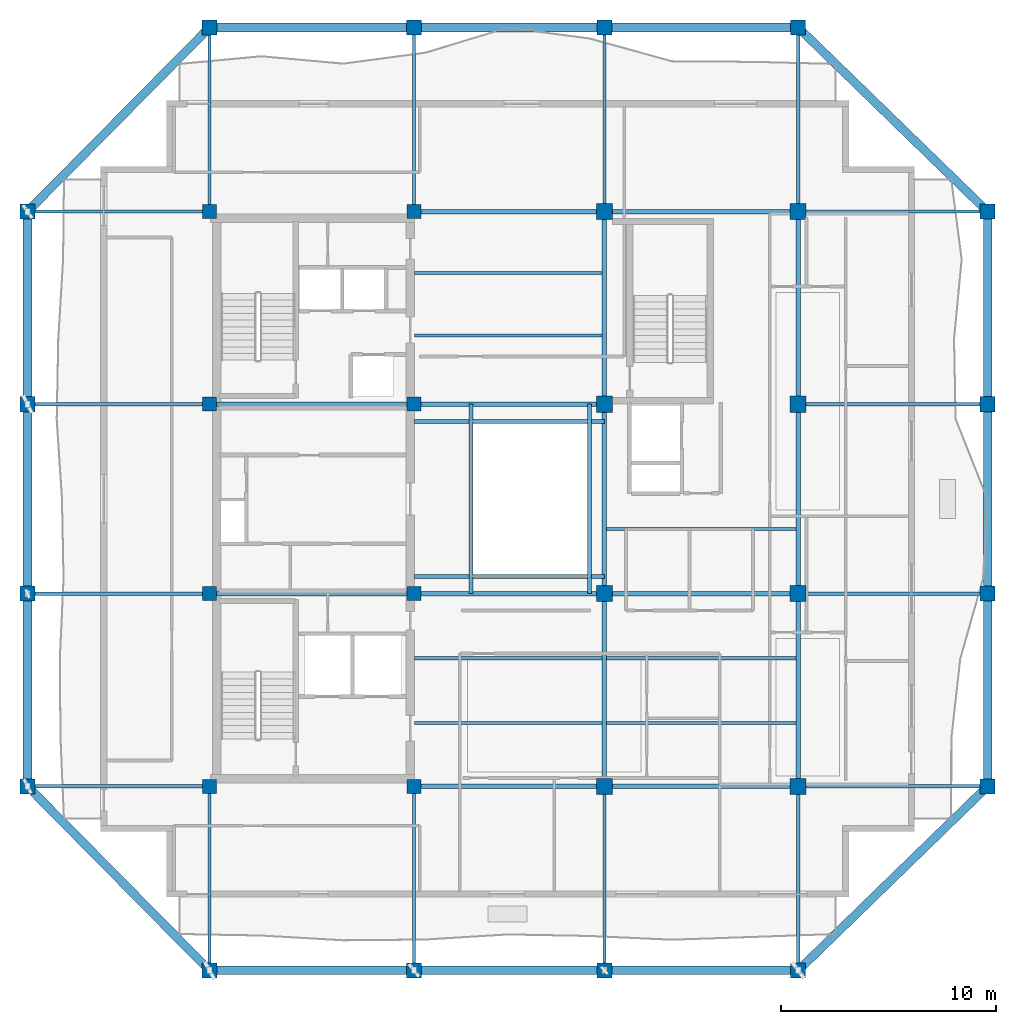
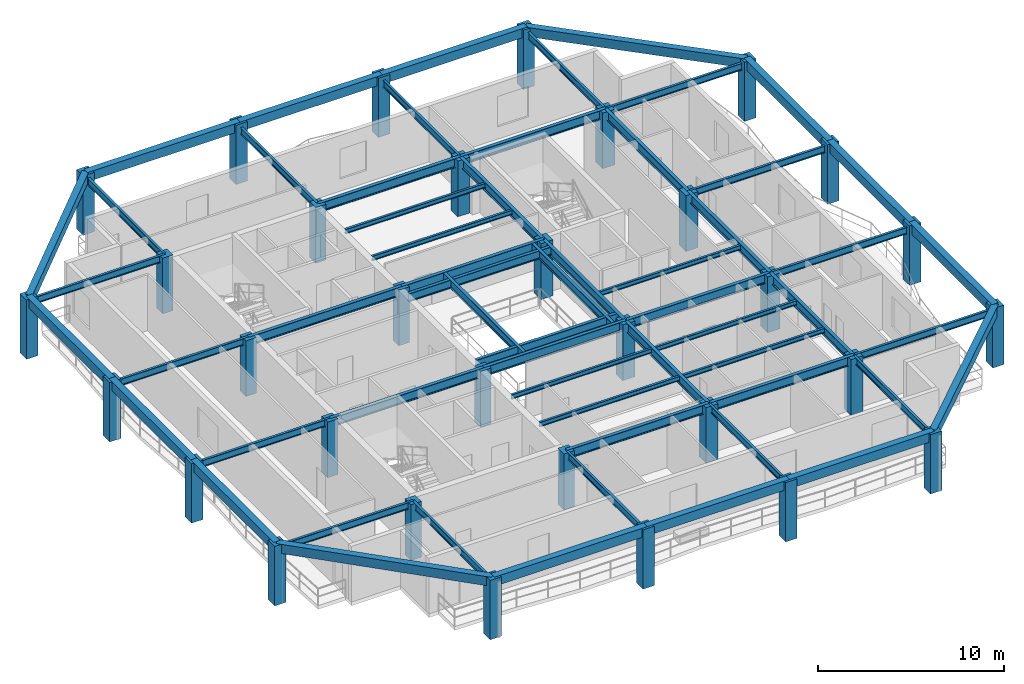
# One storey, part 1 of 10: 58 beams, 32 columns.
"""IFC4 building model written with IfcOpenShell, lengths in metres."""

from ifc_helpers import new_model, si_unit, direction, frame, origin, origin_2d, place, context, subcontext, project, spatial, rectangle, i_section, extrude, material, material_profile, profile_set, type_object, element, save


model = new_model("IFC4")

# Units and contexts
model_context = context("Model", 3, precision=1e-05, world=origin(), true_north=direction((0.0, 1.0)))
body_context = subcontext(model_context, "Body", "Model", "MODEL_VIEW")
ifc_project = project(units=[si_unit("LENGTHUNIT", "METRE"), si_unit("AREAUNIT", "SQUARE_METRE"), si_unit("VOLUMEUNIT", "CUBIC_METRE"), si_unit("PLANEANGLEUNIT", "RADIAN"), si_unit("MASSUNIT", "GRAM", prefix="KILO")], contexts=[model_context])

# Site, building, storey
site_placement = place(None, origin())
site = spatial("IfcSite", under=ifc_project, at=site_placement, CompositionType="ELEMENT")
building_placement = place(site_placement, origin())
building = spatial("IfcBuilding", under=site, at=building_placement, Name="Kundavana Baori Tower", CompositionType="ELEMENT")
storey_placement = place(building_placement, frame((0.0, 0.0, 276.5)))
storey = spatial("IfcBuildingStorey", under=building, at=storey_placement, Name="L68", CompositionType="ELEMENT", Elevation=276.5)

# Columns
ifc_material_1 = material(Name="Concrete C50/60", Category="concrete")
ifc_material_profile_1 = material_profile(ifc_material_1, rectangle(XDim=0.699951171875, YDim=0.699951171875, at=origin_2d()), Name="RC PF 700x700")
ifc_profile_set_1 = profile_set([ifc_material_profile_1], Name="Concrete C50/60")
column_type_1 = type_object("IfcColumnType", Name="COL-PF-700", PredefinedType="COLUMN", material=ifc_profile_set_1)
for number, where, z_axis, x_axis, name in (
    (1, (15.449951171875, 6.699951171875, 0.0), (0.0, 0.0, 1.0), (1.0, 0.0, 0.0), "L68 Stone-Clad Perimeter Frame Column PF-S1"),
    (2, (15.449951171875, 50.5, 0.0), (0.0, 0.0, 1.0), (1.0, 0.0, 0.0), "L68 Stone-Clad Perimeter Frame Column PF-N1"),
    (3, (24.949951171875, 6.699951171875, 0.0), (0.0, 0.0, 1.0), (1.0, 0.0, 0.0), "L68 Stone-Clad Perimeter Frame Column PF-S2"),
    (4, (24.949951171875, 50.5, 0.0), (0.0, 0.0, 1.0), (1.0, 0.0, 0.0), "L68 Stone-Clad Perimeter Frame Column PF-N2"),
    (5, (33.800048828125, 6.699951171875, 0.0), (0.0, 0.0, 1.0), (1.0, 0.0, 0.0), "L68 Stone-Clad Perimeter Frame Column PF-S3"),
    (6, (33.800048828125, 50.5, 0.0), (0.0, 0.0, 1.0), (1.0, 0.0, 0.0), "L68 Stone-Clad Perimeter Frame Column PF-N3"),
    (7, (42.800048828125, 6.699951171875, 0.0), (0.0, 0.0, 1.0), (1.0, 0.0, 0.0), "L68 Stone-Clad Perimeter Frame Column PF-S4"),
    (8, (42.800048828125, 50.5, 0.0), (0.0, 0.0, 1.0), (1.0, 0.0, 0.0), "L68 Stone-Clad Perimeter Frame Column PF-N4"),
    (9, (7.0, 15.25, 0.0), (0.0, 0.0, 1.0), (1.0, 0.0, 0.0), "L68 Stone-Clad Perimeter Frame Column PF-W1"),
    (10, (51.60009765625, 15.25, 0.0), (0.0, 0.0, 1.0), (1.0, 0.0, 0.0), "L68 Stone-Clad Perimeter Frame Column PF-E1"),
    (11, (7.0, 24.199951171875, 0.0), (0.0, 0.0, 1.0), (1.0, 0.0, 0.0), "L68 Stone-Clad Perimeter Frame Column PF-W2"),
    (12, (51.60009765625, 24.199951171875, 0.0), (0.0, 0.0, 1.0), (1.0, 0.0, 0.0), "L68 Stone-Clad Perimeter Frame Column PF-E2"),
    (13, (7.0, 33.0, 0.0), (0.0, 0.0, 1.0), (1.0, 0.0, 0.0), "L68 Stone-Clad Perimeter Frame Column PF-W3"),
    (14, (51.60009765625, 33.0, 0.0), (0.0, 0.0, 1.0), (1.0, 0.0, 0.0), "L68 Stone-Clad Perimeter Frame Column PF-E3"),
    (15, (7.0, 41.949951171875, 0.0), (0.0, 0.0, 1.0), (1.0, 0.0, 0.0), "L68 Stone-Clad Perimeter Frame Column PF-W4"),
    (16, (51.60009765625, 41.949951171875, 0.0), (0.0, 0.0, 1.0), (1.0, 0.0, 0.0), "L68 Stone-Clad Perimeter Frame Column PF-E4"),
):
    element("IfcColumn", number, at=place(storey_placement, frame(where, z_axis=z_axis, x_axis=x_axis)), inside=storey, type_object=column_type_1, Name=name, PredefinedType="COLUMN", context=body_context, shape_type="SweptSolid", body=[
        extrude(rectangle(XDim=0.699951171875, YDim=0.699951171875, at=origin_2d()), origin(), (0.0, 0.0, 1.0), 3.89990234375),
    ])
ifc_material_2 = material(Name="Concrete C50/60", Category="concrete")
ifc_material_profile_2 = material_profile(ifc_material_2, rectangle(XDim=0.64990234375, YDim=0.64990234375, at=origin_2d()), Name="RC 650x650")
ifc_profile_set_2 = profile_set([ifc_material_profile_2], Name="Concrete C50/60")
column_type_2 = type_object("IfcColumnType", Name="COL-RC-650", PredefinedType="COLUMN", material=ifc_profile_set_2)
for number, where, z_axis, x_axis, name in (
    (17, (15.449951171875, 15.25, 0.0), (0.0, 0.0, 1.0), (1.0, 0.0, 0.0), "L68 Interior Column IC-3C"),
    (18, (15.449951171875, 24.199951171875, 0.0), (0.0, 0.0, 1.0), (1.0, 0.0, 0.0), "L68 Interior Column IC-3D"),
    (19, (15.449951171875, 33.0, 0.0), (0.0, 0.0, 1.0), (1.0, 0.0, 0.0), "L68 Interior Column IC-3E"),
    (20, (15.449951171875, 41.949951171875, 0.0), (0.0, 0.0, 1.0), (1.0, 0.0, 0.0), "L68 Interior Column IC-3F"),
    (21, (24.949951171875, 15.25, 0.0), (0.0, 0.0, 1.0), (1.0, 0.0, 0.0), "L68 Interior Column IC-4C"),
    (22, (24.949951171875, 24.199951171875, 0.0), (0.0, 0.0, 1.0), (1.0, 0.0, 0.0), "L68 Interior Column IC-4D"),
    (23, (24.949951171875, 33.0, 0.0), (0.0, 0.0, 1.0), (1.0, 0.0, 0.0), "L68 Interior Column IC-4E"),
    (24, (24.949951171875, 41.949951171875, 0.0), (0.0, 0.0, 1.0), (1.0, 0.0, 0.0), "L68 Interior Column IC-4F"),
):
    element("IfcColumn", number, at=place(storey_placement, frame(where, z_axis=z_axis, x_axis=x_axis)), inside=storey, type_object=column_type_2, Name=name, PredefinedType="COLUMN", context=body_context, shape_type="SweptSolid", body=[
        extrude(rectangle(XDim=0.64990234375, YDim=0.64990234375, at=origin_2d()), origin(), (0.0, 0.0, 1.0), 3.659912109375),
    ])
ifc_material_3 = material(Name="Concrete C50/60", Category="concrete")
ifc_material_profile_3 = material_profile(ifc_material_3, rectangle(XDim=0.75, YDim=0.75, at=origin_2d()), Name="RC 750x750")
ifc_profile_set_3 = profile_set([ifc_material_profile_3], Name="Concrete C50/60")
column_type_3 = type_object("IfcColumnType", Name="COL-RC-750", PredefinedType="COLUMN", material=ifc_profile_set_3)
for number, where, z_axis, x_axis, name in (
    (25, (33.800048828125, 15.25, 0.0), (0.0, 0.0, 1.0), (1.0, 0.0, 0.0), "L68 Interior Column IC-5C"),
    (26, (33.800048828125, 24.199951171875, 0.0), (0.0, 0.0, 1.0), (1.0, 0.0, 0.0), "L68 Interior Column IC-5D"),
    (27, (33.800048828125, 33.0, 0.0), (0.0, 0.0, 1.0), (1.0, 0.0, 0.0), "L68 Interior Column IC-5E"),
    (28, (33.800048828125, 41.949951171875, 0.0), (0.0, 0.0, 1.0), (1.0, 0.0, 0.0), "L68 Interior Column IC-5F"),
    (29, (42.800048828125, 15.25, 0.0), (0.0, 0.0, 1.0), (1.0, 0.0, 0.0), "L68 Interior Column IC-6C"),
    (30, (42.800048828125, 24.199951171875, 0.0), (0.0, 0.0, 1.0), (1.0, 0.0, 0.0), "L68 Interior Column IC-6D"),
    (31, (42.800048828125, 33.0, 0.0), (0.0, 0.0, 1.0), (1.0, 0.0, 0.0), "L68 Interior Column IC-6E"),
    (32, (42.800048828125, 41.949951171875, 0.0), (0.0, 0.0, 1.0), (1.0, 0.0, 0.0), "L68 Interior Column IC-6F"),
):
    element("IfcColumn", number, at=place(storey_placement, frame(where, z_axis=z_axis, x_axis=x_axis)), inside=storey, type_object=column_type_3, Name=name, PredefinedType="COLUMN", context=body_context, shape_type="SweptSolid", body=[
        extrude(rectangle(XDim=0.75, YDim=0.75, at=origin_2d()), origin(), (0.0, 0.0, 1.0), 3.659912109375),
    ])

# Beams
ifc_material_4 = material(Name="Concrete C50/60", Category="concrete")
ifc_material_profile_4 = material_profile(ifc_material_4, rectangle(XDim=0.39990234375, YDim=0.60009765625, at=origin_2d()), Name="RC BM 400x600")
ifc_profile_set_4 = profile_set([ifc_material_profile_4], Name="Concrete C50/60")
beam_type_1 = type_object("IfcBeamType", Name="BM-PF-600", PredefinedType="SPANDREL", material=ifc_profile_set_4)
beam_1_placement = place(storey_placement, frame((15.449951171875, 6.699951171875, 3.60009765625), z_axis=(1.0, 0.0, 0.0), x_axis=(0.0, 1.0, 0.0)))
element("IfcBeam", 33, at=beam_1_placement, inside=storey, type_object=beam_type_1, Name="L68 Perimeter Frame Ring Beam S1", PredefinedType="SPANDREL", context=body_context, shape_type="SweptSolid", body=[
    extrude(rectangle(XDim=0.39990234375, YDim=0.60009765625, at=origin_2d()), origin(), (0.0, 0.0, 1.0), 9.5),
])
beam_2_placement = place(storey_placement, frame((24.949951171875, 6.699951171875, 3.60009765625), z_axis=(1.0, 0.0, 0.0), x_axis=(0.0, 1.0, 0.0)))
element("IfcBeam", 34, at=beam_2_placement, inside=storey, type_object=beam_type_1, Name="L68 Perimeter Frame Ring Beam S2", PredefinedType="SPANDREL", context=body_context, shape_type="SweptSolid", body=[
    extrude(rectangle(XDim=0.39990234375, YDim=0.60009765625, at=origin_2d()), origin(), (0.0, 0.0, 1.0), 8.85009765625),
])
beam_3_placement = place(storey_placement, frame((33.800048828125, 6.699951171875, 3.60009765625), z_axis=(1.0, 0.0, 0.0), x_axis=(0.0, 1.0, 0.0)))
element("IfcBeam", 35, at=beam_3_placement, inside=storey, type_object=beam_type_1, Name="L68 Perimeter Frame Ring Beam S3", PredefinedType="SPANDREL", context=body_context, shape_type="SweptSolid", body=[
    extrude(rectangle(XDim=0.39990234375, YDim=0.60009765625, at=origin_2d()), origin(), (0.0, 0.0, 1.0), 9.0),
])
beam_4_placement = place(storey_placement, frame((15.449951171875, 50.5, 3.60009765625), z_axis=(1.0, 0.0, 0.0), x_axis=(0.0, 1.0, 0.0)))
element("IfcBeam", 36, at=beam_4_placement, inside=storey, type_object=beam_type_1, Name="L68 Perimeter Frame Ring Beam N1", PredefinedType="SPANDREL", context=body_context, shape_type="SweptSolid", body=[
    extrude(rectangle(XDim=0.39990234375, YDim=0.60009765625, at=origin_2d()), origin(), (0.0, 0.0, 1.0), 9.5),
])
beam_5_placement = place(storey_placement, frame((24.949951171875, 50.5, 3.60009765625), z_axis=(1.0, 0.0, 0.0), x_axis=(0.0, 1.0, 0.0)))
element("IfcBeam", 37, at=beam_5_placement, inside=storey, type_object=beam_type_1, Name="L68 Perimeter Frame Ring Beam N2", PredefinedType="SPANDREL", context=body_context, shape_type="SweptSolid", body=[
    extrude(rectangle(XDim=0.39990234375, YDim=0.60009765625, at=origin_2d()), origin(), (0.0, 0.0, 1.0), 8.85009765625),
])
beam_6_placement = place(storey_placement, frame((33.800048828125, 50.5, 3.60009765625), z_axis=(1.0, 0.0, 0.0), x_axis=(0.0, 1.0, 0.0)))
element("IfcBeam", 38, at=beam_6_placement, inside=storey, type_object=beam_type_1, Name="L68 Perimeter Frame Ring Beam N3", PredefinedType="SPANDREL", context=body_context, shape_type="SweptSolid", body=[
    extrude(rectangle(XDim=0.39990234375, YDim=0.60009765625, at=origin_2d()), origin(), (0.0, 0.0, 1.0), 9.0),
])
beam_7_placement = place(storey_placement, frame((7.0, 15.25, 3.60009765625), z_axis=(0.0, 1.0, 0.0), x_axis=(-1.0, 0.0, 0.0)))
element("IfcBeam", 39, at=beam_7_placement, inside=storey, type_object=beam_type_1, Name="L68 Perimeter Frame Ring Beam W1", PredefinedType="SPANDREL", context=body_context, shape_type="SweptSolid", body=[
    extrude(rectangle(XDim=0.39990234375, YDim=0.60009765625, at=origin_2d()), origin(), (0.0, 0.0, 1.0), 8.949951171875),
])
beam_8_placement = place(storey_placement, frame((7.0, 24.199951171875, 3.60009765625), z_axis=(0.0, 1.0, 0.0), x_axis=(-1.0, 0.0, 0.0)))
element("IfcBeam", 40, at=beam_8_placement, inside=storey, type_object=beam_type_1, Name="L68 Perimeter Frame Ring Beam W2", PredefinedType="SPANDREL", context=body_context, shape_type="SweptSolid", body=[
    extrude(rectangle(XDim=0.39990234375, YDim=0.60009765625, at=origin_2d()), origin(), (0.0, 0.0, 1.0), 8.800048828125),
])
for number, where, z_axis, x_axis, name in (
    (41, (7.0, 33.0, 3.60009765625), (0.0, 1.0, 0.0), (-1.0, 0.0, 0.0), "L68 Perimeter Frame Ring Beam W3"),
    (42, (51.60009765625, 15.25, 3.60009765625), (0.0, 1.0, 0.0), (-1.0, 0.0, 0.0), "L68 Perimeter Frame Ring Beam E1"),
):
    element("IfcBeam", number, at=place(storey_placement, frame(where, z_axis=z_axis, x_axis=x_axis)), inside=storey, type_object=beam_type_1, Name=name, PredefinedType="SPANDREL", context=body_context, shape_type="SweptSolid", body=[
        extrude(rectangle(XDim=0.39990234375, YDim=0.60009765625, at=origin_2d()), origin(), (0.0, 0.0, 1.0), 8.949951171875),
    ])
beam_9_placement = place(storey_placement, frame((51.60009765625, 24.199951171875, 3.60009765625), z_axis=(0.0, 1.0, 0.0), x_axis=(-1.0, 0.0, 0.0)))
element("IfcBeam", 43, at=beam_9_placement, inside=storey, type_object=beam_type_1, Name="L68 Perimeter Frame Ring Beam E2", PredefinedType="SPANDREL", context=body_context, shape_type="SweptSolid", body=[
    extrude(rectangle(XDim=0.39990234375, YDim=0.60009765625, at=origin_2d()), origin(), (0.0, 0.0, 1.0), 8.800048828125),
])
beam_10_placement = place(storey_placement, frame((51.60009765625, 33.0, 3.60009765625), z_axis=(0.0, 1.0, 0.0), x_axis=(-1.0, 0.0, 0.0)))
element("IfcBeam", 44, at=beam_10_placement, inside=storey, type_object=beam_type_1, Name="L68 Perimeter Frame Ring Beam E3", PredefinedType="SPANDREL", context=body_context, shape_type="SweptSolid", body=[
    extrude(rectangle(XDim=0.39990234375, YDim=0.60009765625, at=origin_2d()), origin(), (0.0, 0.0, 1.0), 8.949951171875),
])
beam_11_placement = place(storey_placement, frame((15.449951171875, 6.699951171875, 3.60009765625), z_axis=(-0.702931082472, 0.711257965365, 0.0), x_axis=(-0.711257965365, -0.702931082472, 0.0)))
element("IfcBeam", 45, at=beam_11_placement, inside=storey, type_object=beam_type_1, Name="L68 Notched Corner Perimeter Beam SW", PredefinedType="SPANDREL", context=body_context, shape_type="SweptSolid", body=[
    extrude(rectangle(XDim=0.39990234375, YDim=0.60009765625, at=origin_2d()), origin(), (0.0, 0.0, 1.0), 12.02099609375),
])
beam_12_placement = place(storey_placement, frame((42.800048828125, 6.699951171875, 3.60009765625), z_axis=(0.717221130298, 0.696845643062, 0.0), x_axis=(-0.696845643062, 0.717221130298, 0.0)))
element("IfcBeam", 46, at=beam_12_placement, inside=storey, type_object=beam_type_1, Name="L68 Notched Corner Perimeter Beam SE", PredefinedType="SPANDREL", context=body_context, shape_type="SweptSolid", body=[
    extrude(rectangle(XDim=0.39990234375, YDim=0.60009765625, at=origin_2d()), origin(), (0.0, 0.0, 1.0), 12.26953125),
])
beam_13_placement = place(storey_placement, frame((15.449951171875, 50.5, 3.60009765625), z_axis=(-0.702931082472, -0.711257965365, 0.0), x_axis=(0.711257965365, -0.702931082472, 0.0)))
element("IfcBeam", 47, at=beam_13_placement, inside=storey, type_object=beam_type_1, Name="L68 Notched Corner Perimeter Beam NW", PredefinedType="SPANDREL", context=body_context, shape_type="SweptSolid", body=[
    extrude(rectangle(XDim=0.39990234375, YDim=0.60009765625, at=origin_2d()), origin(), (0.0, 0.0, 1.0), 12.02099609375),
])
beam_14_placement = place(storey_placement, frame((42.800048828125, 50.5, 3.60009765625), z_axis=(0.717221130298, -0.696845643062, 0.0), x_axis=(0.696845643062, 0.717221130298, 0.0)))
element("IfcBeam", 48, at=beam_14_placement, inside=storey, type_object=beam_type_1, Name="L68 Notched Corner Perimeter Beam NE", PredefinedType="SPANDREL", context=body_context, shape_type="SweptSolid", body=[
    extrude(rectangle(XDim=0.39990234375, YDim=0.60009765625, at=origin_2d()), origin(), (0.0, 0.0, 1.0), 12.26953125),
])
ifc_material_5 = material(Name="Structural Steel S355JR", Category="steel")
ifc_material_profile_5 = material_profile(ifc_material_5, i_section(OverallWidth=0.139892578125, OverallDepth=0.300048828125, WebThickness=0.0078125, FlangeThickness=0.01318359375, FilletRadius=0.013916015625, at=origin_2d()), Name="ISMB 300")
ifc_profile_set_5 = profile_set([ifc_material_profile_5], Name="Structural Steel S355JR")
beam_type_2 = type_object("IfcBeamType", Name="BM-RF-300", PredefinedType="BEAM", material=ifc_profile_set_5)
for number, where, z_axis, x_axis, name in (
    (49, (24.97998046875, 18.199951171875, 3.510009765625), (1.0, 0.0, 0.0), (0.0, 1.0, 0.0), "L68 Central Bay Composite Floor Joist C1"),
    (50, (24.97998046875, 21.199951171875, 3.510009765625), (1.0, 0.0, 0.0), (0.0, 1.0, 0.0), "L68 Central Bay Composite Floor Joist C2"),
    (51, (24.97998046875, 36.199951171875, 3.510009765625), (1.0, 0.0, 0.0), (0.0, 1.0, 0.0), "L68 Central Bay Composite Floor Joist C3"),
    (52, (24.97998046875, 39.10009765625, 3.510009765625), (1.0, 0.0, 0.0), (0.0, 1.0, 0.0), "L68 Central Bay Composite Floor Joist C4"),
):
    element("IfcBeam", number, at=place(storey_placement, frame(where, z_axis=z_axis, x_axis=x_axis)), inside=storey, type_object=beam_type_2, Name=name, PredefinedType="BEAM", context=body_context, shape_type="SweptSolid", body=[
        extrude(i_section(OverallWidth=0.139892578125, OverallDepth=0.300048828125, WebThickness=0.0078125, FlangeThickness=0.01318359375, FilletRadius=0.013916015625, at=origin_2d()), origin(), (0.0, 0.0, 1.0), 8.715087890625),
    ])
for number, where, z_axis, x_axis, name in (
    (53, (33.905029296875, 18.199951171875, 3.510009765625), (1.0, 0.0, 0.0), (0.0, 1.0, 0.0), "L68 East Bay Composite Floor Joist E1"),
    (54, (33.905029296875, 21.199951171875, 3.510009765625), (1.0, 0.0, 0.0), (0.0, 1.0, 0.0), "L68 East Bay Composite Floor Joist E2"),
    (55, (33.905029296875, 27.199951171875, 3.510009765625), (1.0, 0.0, 0.0), (0.0, 1.0, 0.0), "L68 East Bay Composite Floor Joist E3"),
):
    element("IfcBeam", number, at=place(storey_placement, frame(where, z_axis=z_axis, x_axis=x_axis)), inside=storey, type_object=beam_type_2, Name=name, PredefinedType="BEAM", context=body_context, shape_type="SweptSolid", body=[
        extrude(i_section(OverallWidth=0.139892578125, OverallDepth=0.300048828125, WebThickness=0.0078125, FlangeThickness=0.01318359375, FilletRadius=0.013916015625, at=origin_2d()), origin(), (0.0, 0.0, 1.0), 8.7900390625),
    ])
ifc_material_6 = material(Name="Structural Steel S355JR", Category="steel")
ifc_material_profile_6 = material_profile(ifc_material_6, i_section(OverallWidth=0.18994140625, OverallDepth=0.550048828125, WebThickness=0.01123046875, FlangeThickness=0.019287109375, FilletRadius=0.01806640625, at=origin_2d()), Name="ISMB 550")
ifc_profile_set_6 = profile_set([ifc_material_profile_6], Name="Structural Steel S355JR")
beam_type_3 = type_object("IfcBeamType", Name="BM-ST-550", PredefinedType="BEAM", material=ifc_profile_set_6)
for number, where, z_axis, x_axis, name in (
    (56, (27.60009765625, 24.199951171875, 3.385009765625), (0.0, 1.0, 0.0), (-1.0, 0.0, 0.0), "L68 Atrium West Edge Beam"),
    (57, (33.10009765625, 24.199951171875, 3.385009765625), (0.0, 1.0, 0.0), (-1.0, 0.0, 0.0), "L68 Atrium East Edge Beam"),
):
    element("IfcBeam", number, at=place(storey_placement, frame(where, z_axis=z_axis, x_axis=x_axis)), inside=storey, type_object=beam_type_3, Name=name, PredefinedType="BEAM", context=body_context, shape_type="SweptSolid", body=[
        extrude(i_section(OverallWidth=0.18994140625, OverallDepth=0.550048828125, WebThickness=0.01123046875, FlangeThickness=0.019287109375, FilletRadius=0.01806640625, at=origin_2d()), origin(), (0.0, 0.0, 1.0), 8.800048828125),
    ])
for number, where, z_axis, x_axis, name in (
    (58, (24.949951171875, 25.0, 3.385009765625), (1.0, 0.0, 0.0), (0.0, 1.0, 0.0), "L68 Atrium South Edge Beam"),
    (59, (24.949951171875, 32.199951171875, 3.385009765625), (1.0, 0.0, 0.0), (0.0, 1.0, 0.0), "L68 Atrium North Edge Beam"),
):
    element("IfcBeam", number, at=place(storey_placement, frame(where, z_axis=z_axis, x_axis=x_axis)), inside=storey, type_object=beam_type_3, Name=name, PredefinedType="BEAM", context=body_context, shape_type="SweptSolid", body=[
        extrude(i_section(OverallWidth=0.18994140625, OverallDepth=0.550048828125, WebThickness=0.01123046875, FlangeThickness=0.019287109375, FilletRadius=0.01806640625, at=origin_2d()), origin(), (0.0, 0.0, 1.0), 8.85009765625),
    ])
ifc_material_7 = material(Name="Structural Steel S355JR", Category="steel")
ifc_material_profile_7 = material_profile(ifc_material_7, i_section(OverallWidth=0.2099609375, OverallDepth=0.60009765625, WebThickness=0.011962890625, FlangeThickness=0.020751953125, FilletRadius=0.02001953125, at=origin_2d()), Name="ISMB 600")
ifc_profile_set_7 = profile_set([ifc_material_profile_7], Name="Structural Steel S355JR")
beam_type_4 = type_object("IfcBeamType", Name="BM-ST-600", PredefinedType="BEAM", material=ifc_profile_set_7)
beam_15_placement = place(storey_placement, frame((24.949951171875, 15.25, 3.360107421875), z_axis=(1.0, 0.0, 0.0), x_axis=(0.0, 1.0, 0.0)))
element("IfcBeam", 60, at=beam_15_placement, inside=storey, type_object=beam_type_4, Name="L68 Primary Grid Girder GX-1-2", PredefinedType="BEAM", context=body_context, shape_type="SweptSolid", body=[
    extrude(i_section(OverallWidth=0.2099609375, OverallDepth=0.60009765625, WebThickness=0.011962890625, FlangeThickness=0.020751953125, FilletRadius=0.02001953125, at=origin_2d()), origin(), (0.0, 0.0, 1.0), 8.85009765625),
])
beam_16_placement = place(storey_placement, frame((33.800048828125, 15.25, 3.360107421875), z_axis=(1.0, 0.0, 0.0), x_axis=(0.0, 1.0, 0.0)))
element("IfcBeam", 61, at=beam_16_placement, inside=storey, type_object=beam_type_4, Name="L68 Primary Grid Girder GX-1-3", PredefinedType="BEAM", context=body_context, shape_type="SweptSolid", body=[
    extrude(i_section(OverallWidth=0.2099609375, OverallDepth=0.60009765625, WebThickness=0.011962890625, FlangeThickness=0.020751953125, FilletRadius=0.02001953125, at=origin_2d()), origin(), (0.0, 0.0, 1.0), 9.0),
])
beam_17_placement = place(storey_placement, frame((15.449951171875, 24.199951171875, 3.360107421875), z_axis=(1.0, 0.0, 0.0), x_axis=(0.0, 1.0, 0.0)))
element("IfcBeam", 62, at=beam_17_placement, inside=storey, type_object=beam_type_4, Name="L68 Primary Grid Girder GX-2-1", PredefinedType="BEAM", context=body_context, shape_type="SweptSolid", body=[
    extrude(i_section(OverallWidth=0.2099609375, OverallDepth=0.60009765625, WebThickness=0.011962890625, FlangeThickness=0.020751953125, FilletRadius=0.02001953125, at=origin_2d()), origin(), (0.0, 0.0, 1.0), 9.5),
])
beam_18_placement = place(storey_placement, frame((24.949951171875, 24.199951171875, 3.360107421875), z_axis=(1.0, 0.0, 0.0), x_axis=(0.0, 1.0, 0.0)))
element("IfcBeam", 63, at=beam_18_placement, inside=storey, type_object=beam_type_4, Name="L68 Primary Grid Girder GX-2-2", PredefinedType="BEAM", context=body_context, shape_type="SweptSolid", body=[
    extrude(i_section(OverallWidth=0.2099609375, OverallDepth=0.60009765625, WebThickness=0.011962890625, FlangeThickness=0.020751953125, FilletRadius=0.02001953125, at=origin_2d()), origin(), (0.0, 0.0, 1.0), 8.85009765625),
])
beam_19_placement = place(storey_placement, frame((33.800048828125, 24.199951171875, 3.360107421875), z_axis=(1.0, 0.0, 0.0), x_axis=(0.0, 1.0, 0.0)))
element("IfcBeam", 64, at=beam_19_placement, inside=storey, type_object=beam_type_4, Name="L68 Primary Grid Girder GX-2-3", PredefinedType="BEAM", context=body_context, shape_type="SweptSolid", body=[
    extrude(i_section(OverallWidth=0.2099609375, OverallDepth=0.60009765625, WebThickness=0.011962890625, FlangeThickness=0.020751953125, FilletRadius=0.02001953125, at=origin_2d()), origin(), (0.0, 0.0, 1.0), 9.0),
])
beam_20_placement = place(storey_placement, frame((15.449951171875, 33.0, 3.360107421875), z_axis=(1.0, 0.0, 0.0), x_axis=(0.0, 1.0, 0.0)))
element("IfcBeam", 65, at=beam_20_placement, inside=storey, type_object=beam_type_4, Name="L68 Primary Grid Girder GX-3-1", PredefinedType="BEAM", context=body_context, shape_type="SweptSolid", body=[
    extrude(i_section(OverallWidth=0.2099609375, OverallDepth=0.60009765625, WebThickness=0.011962890625, FlangeThickness=0.020751953125, FilletRadius=0.02001953125, at=origin_2d()), origin(), (0.0, 0.0, 1.0), 9.5),
])
for number, where, z_axis, x_axis, name in (
    (66, (24.949951171875, 33.0, 3.360107421875), (1.0, 0.0, 0.0), (0.0, 1.0, 0.0), "L68 Primary Grid Girder GX-3-2"),
    (67, (24.949951171875, 41.949951171875, 3.360107421875), (1.0, 0.0, 0.0), (0.0, 1.0, 0.0), "L68 Primary Grid Girder GX-4-2"),
):
    element("IfcBeam", number, at=place(storey_placement, frame(where, z_axis=z_axis, x_axis=x_axis)), inside=storey, type_object=beam_type_4, Name=name, PredefinedType="BEAM", context=body_context, shape_type="SweptSolid", body=[
        extrude(i_section(OverallWidth=0.2099609375, OverallDepth=0.60009765625, WebThickness=0.011962890625, FlangeThickness=0.020751953125, FilletRadius=0.02001953125, at=origin_2d()), origin(), (0.0, 0.0, 1.0), 8.85009765625),
    ])
beam_21_placement = place(storey_placement, frame((33.800048828125, 41.949951171875, 3.360107421875), z_axis=(1.0, 0.0, 0.0), x_axis=(0.0, 1.0, 0.0)))
element("IfcBeam", 68, at=beam_21_placement, inside=storey, type_object=beam_type_4, Name="L68 Primary Grid Girder GX-4-3", PredefinedType="BEAM", context=body_context, shape_type="SweptSolid", body=[
    extrude(i_section(OverallWidth=0.2099609375, OverallDepth=0.60009765625, WebThickness=0.011962890625, FlangeThickness=0.020751953125, FilletRadius=0.02001953125, at=origin_2d()), origin(), (0.0, 0.0, 1.0), 9.0),
])
beam_22_placement = place(storey_placement, frame((33.800048828125, 15.25, 3.360107421875), z_axis=(0.0, 1.0, 0.0), x_axis=(-1.0, 0.0, 0.0)))
element("IfcBeam", 69, at=beam_22_placement, inside=storey, type_object=beam_type_4, Name="L68 Primary Grid Girder GY-3-1", PredefinedType="BEAM", context=body_context, shape_type="SweptSolid", body=[
    extrude(i_section(OverallWidth=0.2099609375, OverallDepth=0.60009765625, WebThickness=0.011962890625, FlangeThickness=0.020751953125, FilletRadius=0.02001953125, at=origin_2d()), origin(), (0.0, 0.0, 1.0), 8.949951171875),
])
beam_23_placement = place(storey_placement, frame((33.800048828125, 24.199951171875, 3.360107421875), z_axis=(0.0, 1.0, 0.0), x_axis=(-1.0, 0.0, 0.0)))
element("IfcBeam", 70, at=beam_23_placement, inside=storey, type_object=beam_type_4, Name="L68 Primary Grid Girder GY-3-2", PredefinedType="BEAM", context=body_context, shape_type="SweptSolid", body=[
    extrude(i_section(OverallWidth=0.2099609375, OverallDepth=0.60009765625, WebThickness=0.011962890625, FlangeThickness=0.020751953125, FilletRadius=0.02001953125, at=origin_2d()), origin(), (0.0, 0.0, 1.0), 8.800048828125),
])
for number, where, z_axis, x_axis, name in (
    (71, (33.800048828125, 33.0, 3.360107421875), (0.0, 1.0, 0.0), (-1.0, 0.0, 0.0), "L68 Primary Grid Girder GY-3-3"),
    (72, (42.800048828125, 15.25, 3.360107421875), (0.0, 1.0, 0.0), (-1.0, 0.0, 0.0), "L68 Primary Grid Girder GY-4-1"),
):
    element("IfcBeam", number, at=place(storey_placement, frame(where, z_axis=z_axis, x_axis=x_axis)), inside=storey, type_object=beam_type_4, Name=name, PredefinedType="BEAM", context=body_context, shape_type="SweptSolid", body=[
        extrude(i_section(OverallWidth=0.2099609375, OverallDepth=0.60009765625, WebThickness=0.011962890625, FlangeThickness=0.020751953125, FilletRadius=0.02001953125, at=origin_2d()), origin(), (0.0, 0.0, 1.0), 8.949951171875),
    ])
beam_24_placement = place(storey_placement, frame((42.800048828125, 24.199951171875, 3.360107421875), z_axis=(0.0, 1.0, 0.0), x_axis=(-1.0, 0.0, 0.0)))
element("IfcBeam", 73, at=beam_24_placement, inside=storey, type_object=beam_type_4, Name="L68 Primary Grid Girder GY-4-2", PredefinedType="BEAM", context=body_context, shape_type="SweptSolid", body=[
    extrude(i_section(OverallWidth=0.2099609375, OverallDepth=0.60009765625, WebThickness=0.011962890625, FlangeThickness=0.020751953125, FilletRadius=0.02001953125, at=origin_2d()), origin(), (0.0, 0.0, 1.0), 8.800048828125),
])
beam_25_placement = place(storey_placement, frame((42.800048828125, 33.0, 3.360107421875), z_axis=(0.0, 1.0, 0.0), x_axis=(-1.0, 0.0, 0.0)))
element("IfcBeam", 74, at=beam_25_placement, inside=storey, type_object=beam_type_4, Name="L68 Primary Grid Girder GY-4-3", PredefinedType="BEAM", context=body_context, shape_type="SweptSolid", body=[
    extrude(i_section(OverallWidth=0.2099609375, OverallDepth=0.60009765625, WebThickness=0.011962890625, FlangeThickness=0.020751953125, FilletRadius=0.02001953125, at=origin_2d()), origin(), (0.0, 0.0, 1.0), 8.949951171875),
])
ifc_material_8 = material(Name="Structural Steel S355JR", Category="steel")
ifc_material_profile_8 = material_profile(ifc_material_8, i_section(OverallWidth=0.14990234375, OverallDepth=0.449951171875, WebThickness=0.009521484375, FlangeThickness=0.017333984375, FilletRadius=0.014892578125, at=origin_2d()), Name="ISMB 450")
ifc_profile_set_8 = profile_set([ifc_material_profile_8], Name="Structural Steel S355JR")
beam_type_5 = type_object("IfcBeamType", Name="BM-TIE-450", PredefinedType="BEAM", material=ifc_profile_set_8)
for number, where, z_axis, x_axis, name in (
    (75, (15.449951171875, 15.25, 3.43505859375), (0.0, -1.0, 0.0), (1.0, 0.0, 0.0), "L68 South Radial Loggia Tie Beam S1"),
    (76, (15.449951171875, 41.949951171875, 3.43505859375), (0.0, 1.0, 0.0), (-1.0, 0.0, 0.0), "L68 North Radial Loggia Tie Beam N1"),
    (77, (24.949951171875, 15.25, 3.43505859375), (0.0, -1.0, 0.0), (1.0, 0.0, 0.0), "L68 South Radial Loggia Tie Beam S2"),
    (78, (24.949951171875, 41.949951171875, 3.43505859375), (0.0, 1.0, 0.0), (-1.0, 0.0, 0.0), "L68 North Radial Loggia Tie Beam N2"),
    (79, (33.800048828125, 15.25, 3.43505859375), (0.0, -1.0, 0.0), (1.0, 0.0, 0.0), "L68 South Radial Loggia Tie Beam S3"),
    (80, (33.800048828125, 41.949951171875, 3.43505859375), (0.0, 1.0, 0.0), (-1.0, 0.0, 0.0), "L68 North Radial Loggia Tie Beam N3"),
    (81, (42.800048828125, 15.25, 3.43505859375), (0.0, -1.0, 0.0), (1.0, 0.0, 0.0), "L68 South Radial Loggia Tie Beam S4"),
    (82, (42.800048828125, 41.949951171875, 3.43505859375), (0.0, 1.0, 0.0), (-1.0, 0.0, 0.0), "L68 North Radial Loggia Tie Beam N4"),
):
    element("IfcBeam", number, at=place(storey_placement, frame(where, z_axis=z_axis, x_axis=x_axis)), inside=storey, type_object=beam_type_5, Name=name, PredefinedType="BEAM", context=body_context, shape_type="SweptSolid", body=[
        extrude(i_section(OverallWidth=0.14990234375, OverallDepth=0.449951171875, WebThickness=0.009521484375, FlangeThickness=0.017333984375, FilletRadius=0.014892578125, at=origin_2d()), origin(), (0.0, 0.0, 1.0), 8.550048828125),
    ])
beam_26_placement = place(storey_placement, frame((15.449951171875, 15.25, 3.43505859375), z_axis=(-1.0, 0.0, 0.0), x_axis=(0.0, -1.0, 0.0)))
element("IfcBeam", 83, at=beam_26_placement, inside=storey, type_object=beam_type_5, Name="L68 West Radial Loggia Tie Beam W1", PredefinedType="BEAM", context=body_context, shape_type="SweptSolid", body=[
    extrude(i_section(OverallWidth=0.14990234375, OverallDepth=0.449951171875, WebThickness=0.009521484375, FlangeThickness=0.017333984375, FilletRadius=0.014892578125, at=origin_2d()), origin(), (0.0, 0.0, 1.0), 8.449951171875),
])
beam_27_placement = place(storey_placement, frame((42.800048828125, 15.25, 3.43505859375), z_axis=(1.0, 0.0, 0.0), x_axis=(0.0, 1.0, 0.0)))
element("IfcBeam", 84, at=beam_27_placement, inside=storey, type_object=beam_type_5, Name="L68 East Radial Loggia Tie Beam E1", PredefinedType="BEAM", context=body_context, shape_type="SweptSolid", body=[
    extrude(i_section(OverallWidth=0.14990234375, OverallDepth=0.449951171875, WebThickness=0.009521484375, FlangeThickness=0.017333984375, FilletRadius=0.014892578125, at=origin_2d()), origin(), (0.0, 0.0, 1.0), 8.800048828125),
])
beam_28_placement = place(storey_placement, frame((15.449951171875, 24.199951171875, 3.43505859375), z_axis=(-1.0, 0.0, 0.0), x_axis=(0.0, -1.0, 0.0)))
element("IfcBeam", 85, at=beam_28_placement, inside=storey, type_object=beam_type_5, Name="L68 West Radial Loggia Tie Beam W2", PredefinedType="BEAM", context=body_context, shape_type="SweptSolid", body=[
    extrude(i_section(OverallWidth=0.14990234375, OverallDepth=0.449951171875, WebThickness=0.009521484375, FlangeThickness=0.017333984375, FilletRadius=0.014892578125, at=origin_2d()), origin(), (0.0, 0.0, 1.0), 8.449951171875),
])
beam_29_placement = place(storey_placement, frame((42.800048828125, 24.199951171875, 3.43505859375), z_axis=(1.0, 0.0, 0.0), x_axis=(0.0, 1.0, 0.0)))
element("IfcBeam", 86, at=beam_29_placement, inside=storey, type_object=beam_type_5, Name="L68 East Radial Loggia Tie Beam E2", PredefinedType="BEAM", context=body_context, shape_type="SweptSolid", body=[
    extrude(i_section(OverallWidth=0.14990234375, OverallDepth=0.449951171875, WebThickness=0.009521484375, FlangeThickness=0.017333984375, FilletRadius=0.014892578125, at=origin_2d()), origin(), (0.0, 0.0, 1.0), 8.800048828125),
])
beam_30_placement = place(storey_placement, frame((15.449951171875, 33.0, 3.43505859375), z_axis=(-1.0, 0.0, 0.0), x_axis=(0.0, -1.0, 0.0)))
element("IfcBeam", 87, at=beam_30_placement, inside=storey, type_object=beam_type_5, Name="L68 West Radial Loggia Tie Beam W3", PredefinedType="BEAM", context=body_context, shape_type="SweptSolid", body=[
    extrude(i_section(OverallWidth=0.14990234375, OverallDepth=0.449951171875, WebThickness=0.009521484375, FlangeThickness=0.017333984375, FilletRadius=0.014892578125, at=origin_2d()), origin(), (0.0, 0.0, 1.0), 8.449951171875),
])
beam_31_placement = place(storey_placement, frame((42.800048828125, 33.0, 3.43505859375), z_axis=(1.0, 0.0, 0.0), x_axis=(0.0, 1.0, 0.0)))
element("IfcBeam", 88, at=beam_31_placement, inside=storey, type_object=beam_type_5, Name="L68 East Radial Loggia Tie Beam E3", PredefinedType="BEAM", context=body_context, shape_type="SweptSolid", body=[
    extrude(i_section(OverallWidth=0.14990234375, OverallDepth=0.449951171875, WebThickness=0.009521484375, FlangeThickness=0.017333984375, FilletRadius=0.014892578125, at=origin_2d()), origin(), (0.0, 0.0, 1.0), 8.800048828125),
])
beam_32_placement = place(storey_placement, frame((15.449951171875, 41.949951171875, 3.43505859375), z_axis=(-1.0, 0.0, 0.0), x_axis=(0.0, -1.0, 0.0)))
element("IfcBeam", 89, at=beam_32_placement, inside=storey, type_object=beam_type_5, Name="L68 West Radial Loggia Tie Beam W4", PredefinedType="BEAM", context=body_context, shape_type="SweptSolid", body=[
    extrude(i_section(OverallWidth=0.14990234375, OverallDepth=0.449951171875, WebThickness=0.009521484375, FlangeThickness=0.017333984375, FilletRadius=0.014892578125, at=origin_2d()), origin(), (0.0, 0.0, 1.0), 8.449951171875),
])
beam_33_placement = place(storey_placement, frame((42.800048828125, 41.949951171875, 3.43505859375), z_axis=(1.0, 0.0, 0.0), x_axis=(0.0, 1.0, 0.0)))
element("IfcBeam", 90, at=beam_33_placement, inside=storey, type_object=beam_type_5, Name="L68 East Radial Loggia Tie Beam E4", PredefinedType="BEAM", context=body_context, shape_type="SweptSolid", body=[
    extrude(i_section(OverallWidth=0.14990234375, OverallDepth=0.449951171875, WebThickness=0.009521484375, FlangeThickness=0.017333984375, FilletRadius=0.014892578125, at=origin_2d()), origin(), (0.0, 0.0, 1.0), 8.800048828125),
])

save(model, "model.ifc")
